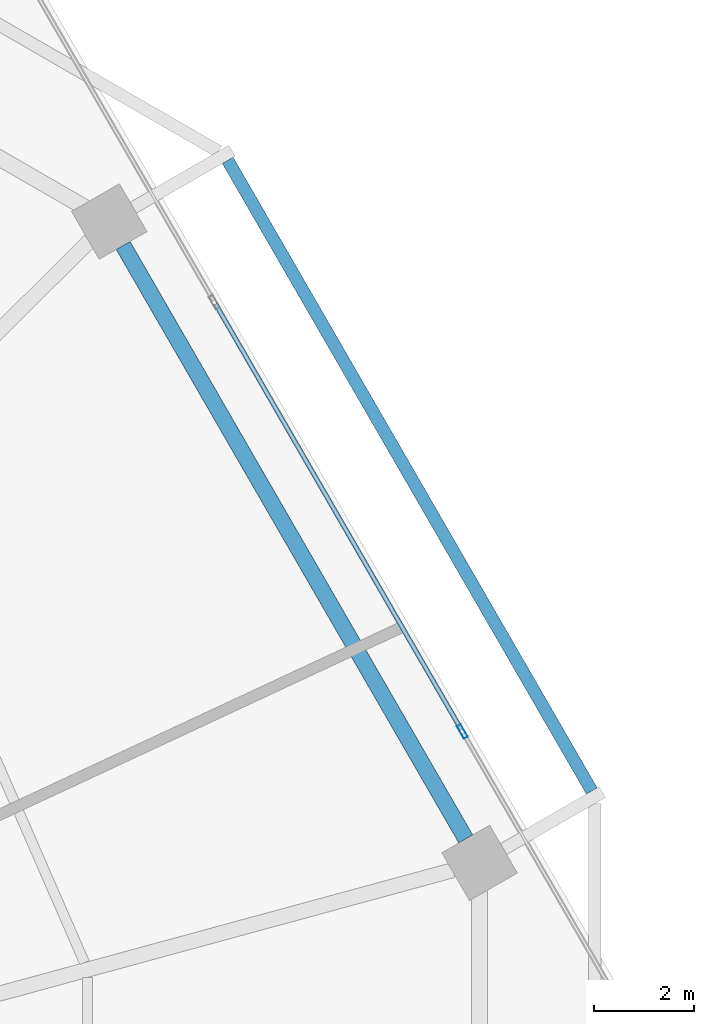
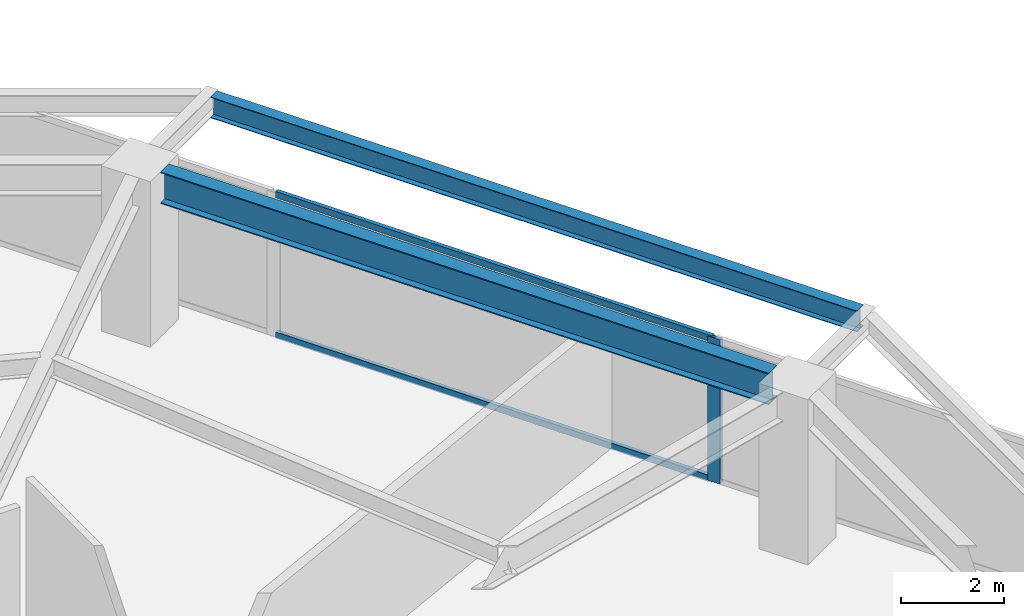
# One storey, part 19 of 28: 3 members, 2 beams, 1 element without a shape of its own.
"""IFC4 building model written with IfcOpenShell, lengths in metres."""

from ifc_helpers import new_model, si_unit, direction, frame, origin, origin_2d, place, context, subcontext, project, spatial, hollow_rectangle, i_section, extrude, material, material_profile, profile_set, type_object, element, aggregate, save


model = new_model("IFC4")

# Units and contexts
model_context = context("Model", 3, precision=1e-05, world=origin(), true_north=direction((0.0, 1.0)))
body_context = subcontext(model_context, "Body", "Model", "MODEL_VIEW")
ifc_project = project(units=[si_unit("LENGTHUNIT", "METRE"), si_unit("AREAUNIT", "SQUARE_METRE"), si_unit("VOLUMEUNIT", "CUBIC_METRE"), si_unit("PLANEANGLEUNIT", "RADIAN"), si_unit("MASSUNIT", "GRAM", prefix="KILO")], contexts=[model_context])

# Site, building, storey
site_placement = place(None, origin())
site = spatial("IfcSite", under=ifc_project, at=site_placement, CompositionType="ELEMENT")
building_placement = place(site_placement, origin())
building = spatial("IfcBuilding", under=site, at=building_placement, Name="Zuhravey Tower", CompositionType="ELEMENT")
storey_placement = place(building_placement, frame((0.0, 0.0, 79.199951171875)))
storey = spatial("IfcBuildingStorey", under=building, at=storey_placement, Name="L19", CompositionType="ELEMENT", Elevation=79.199951171875)

# Curtain wall, members
ifc_material_1 = material(Name="Thermally broken anodised aluminium", Category="aluminium")
curtain_wall_type = type_object("IfcCurtainWallType", Name="School Low-E Unitised Curtain Wall CW1", PredefinedType="NOTDEFINED", material=ifc_material_1)
curtain_wall_placement = place(storey_placement, origin())
curtain_wall = element("IfcCurtainWall", 1, at=curtain_wall_placement, inside=storey, type_object=curtain_wall_type, Name="L19 CW1 CW-L19-F1-1", PredefinedType="NOTDEFINED")
ifc_material_2 = material(Name="Anodised aluminium", Category="aluminium")
ifc_material_profile_1 = material_profile(ifc_material_2, hollow_rectangle(XDim=0.090087890625, YDim=0.284912109375, WallThickness=0.0048828125, at=origin_2d()), Name="ALU-RHS-90x285x5")
ifc_profile_set_1 = profile_set([ifc_material_profile_1], Name="Anodised aluminium")
member_type_1 = type_object("IfcMemberType", Name="Curtain-Wall Mullion 90x180", PredefinedType="MULLION", material=ifc_profile_set_1)
member_1_placement = place(storey_placement, frame((63.54541015625, 42.20703125, 0.0), z_axis=(0.0, 0.0, 1.0), x_axis=(0.86602552265, 0.499999794119, 0.0)))
member_1 = element("IfcMember", 2, at=member_1_placement, type_object=member_type_1, Name="CW1 mullion 3", PredefinedType="MULLION", context=body_context, shape_type="SweptSolid", body=[
    extrude(hollow_rectangle(XDim=0.090087890625, YDim=0.284912109375, WallThickness=0.0048828125, at=origin_2d()), origin(), (0.0, 0.0, 1.0), 3.420166015625),
])
ifc_material_profile_2 = material_profile(ifc_material_2, hollow_rectangle(XDim=0.090087890625, YDim=0.14990234375, WallThickness=0.0048828125, at=origin_2d()), Name="ALU-RHS-90x150x5")
ifc_profile_set_2 = profile_set([ifc_material_profile_2], Name="Anodised aluminium")
member_type_2 = type_object("IfcMemberType", Name="Curtain-Wall Transom 90x150", PredefinedType="USERDEFINED", material=ifc_profile_set_2)
member_2_placement = place(storey_placement, frame((58.634765625, 50.712646484375, 0.045166015625), z_axis=(0.499990498062, -0.866030889661, 0.0), x_axis=(0.866030889661, 0.499990498062, 0.0)))
member_2 = element("IfcMember", 3, at=member_2_placement, type_object=member_type_2, Name="CW1 transom 2.1", ObjectType="TRANSOM", PredefinedType="USERDEFINED", context=body_context, shape_type="SweptSolid", body=[
    extrude(hollow_rectangle(XDim=0.090087890625, YDim=0.14990234375, WallThickness=0.0048828125, at=origin_2d()), origin(), (0.0, 0.0, 1.0), 9.776611328125),
])
member_3_placement = place(storey_placement, frame((58.634765625, 50.712646484375, 3.375), z_axis=(0.499990498062, -0.866030889661, 0.0), x_axis=(0.866030889661, 0.499990498062, 0.0)))
member_3 = element("IfcMember", 4, at=member_3_placement, type_object=member_type_2, Name="CW1 transom 2.2", ObjectType="TRANSOM", PredefinedType="USERDEFINED", context=body_context, shape_type="SweptSolid", body=[
    extrude(hollow_rectangle(XDim=0.090087890625, YDim=0.14990234375, WallThickness=0.0048828125, at=origin_2d()), origin(), (0.0, 0.0, 1.0), 9.776611328125),
])
aggregate(curtain_wall, [member_1, member_2, member_3])

# Beams
ifc_material_3 = material(Name="Steel SM355", Category="steel")
ifc_material_profile_3 = material_profile(ifc_material_3, i_section(OverallWidth=0.320068359375, OverallDepth=0.75, WebThickness=0.013916015625, FlangeThickness=0.02490234375, at=origin_2d()), Name="H-750x320x14x25")
ifc_profile_set_3 = profile_set([ifc_material_profile_3], Name="Steel SM355")
beam_type_1 = type_object("IfcBeamType", Name="Perimeter Ring Beam H750x320", PredefinedType="BEAM", material=ifc_profile_set_3)
beam_1_placement = place(storey_placement, frame((63.612548828125, 40.070556640625, 3.545166015625), z_axis=(-0.500008177929, 0.866020682204, 0.0), x_axis=(-0.866020682204, -0.500008177929, 0.0)))
element("IfcBeam", 5, at=beam_1_placement, inside=storey, type_object=beam_type_1, Name="L19 PB1 BM-L19-PB-01", PredefinedType="BEAM", context=body_context, shape_type="SweptSolid", body=[
    extrude(i_section(OverallWidth=0.320068359375, OverallDepth=0.75, WebThickness=0.013916015625, FlangeThickness=0.02490234375, at=origin_2d()), origin(), (0.0, 0.0, 1.0), 13.634033203125),
])
ifc_material_profile_4 = material_profile(ifc_material_3, i_section(OverallWidth=0.25, OverallDepth=0.5, WebThickness=0.010009765625, FlangeThickness=0.01611328125, at=origin_2d()), Name="H-500x250x10x16")
ifc_profile_set_4 = profile_set([ifc_material_profile_4], Name="Steel SM355")
beam_type_2 = type_object("IfcBeamType", Name="Tray Cantilever Spandrel H500x250", PredefinedType="SPANDREL", material=ifc_profile_set_4)
beam_2_placement = place(storey_placement, frame((66.12255859375, 41.023193359375, 3.670166015625), z_axis=(-0.500001430823, 0.866024577697, 0.0), x_axis=(-0.866024577697, -0.500001430823, 0.0)))
element("IfcBeam", 6, at=beam_2_placement, inside=storey, type_object=beam_type_2, Name="L19 Sky-Tray Edge Spandrel TSB1-01", PredefinedType="SPANDREL", context=body_context, shape_type="SweptSolid", body=[
    extrude(i_section(OverallWidth=0.25, OverallDepth=0.5, WebThickness=0.010009765625, FlangeThickness=0.01611328125, at=origin_2d()), origin(), (0.0, 0.0, 1.0), 14.494140625),
])

save(model, "model.ifc")
